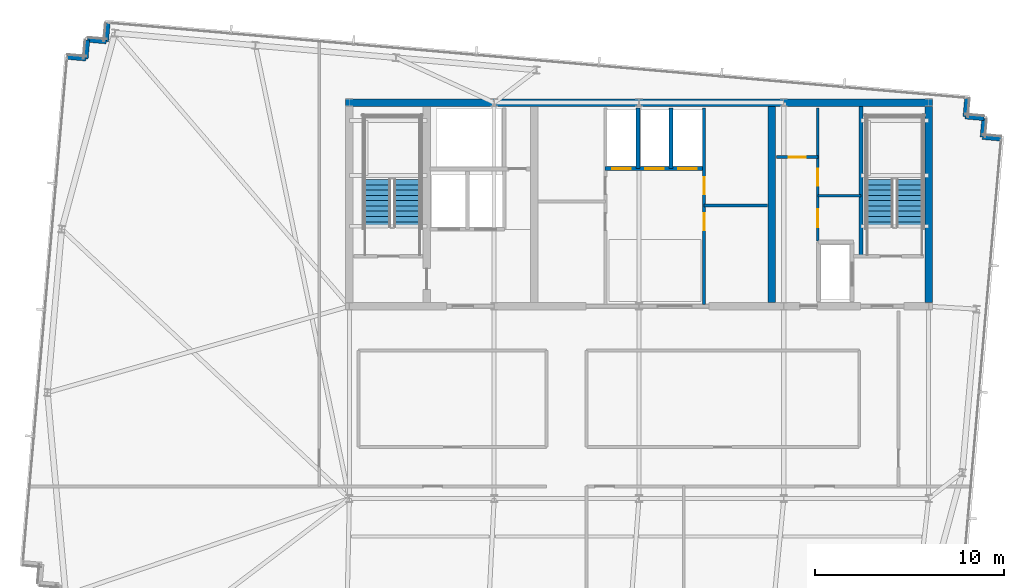
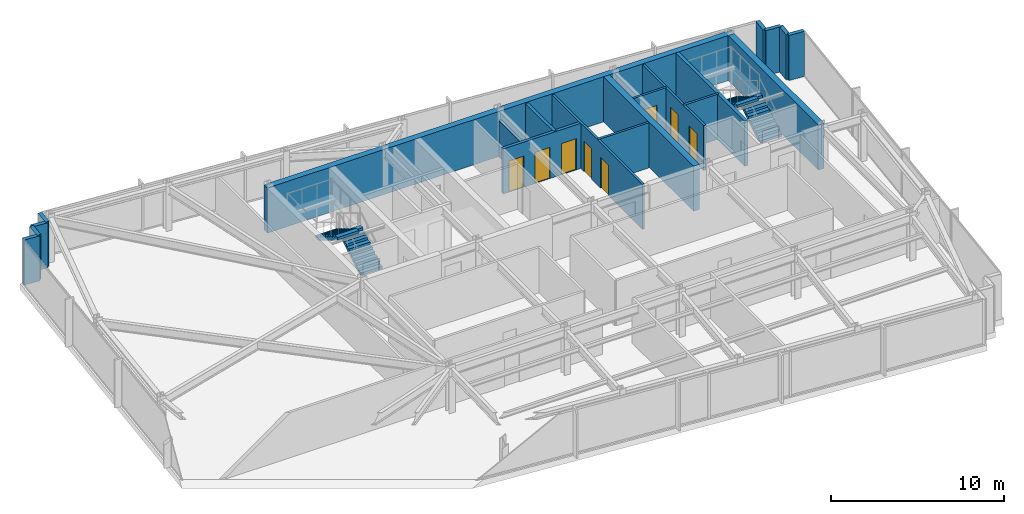
# One storey, part 28 of 32: 20 walls, 8 doors, 4 stair flights, 8 openings, 2 elements without a shape of their own.
"""IFC4 building model written with IfcOpenShell, lengths in metres."""

from ifc_helpers import new_model, si_unit, direction, frame, frame_2d, origin, place, context, subcontext, project, spatial, polyline, rectangle, outline, extrude, material, layer, layer_set, type_object, element, fill, aggregate, save


model = new_model("IFC4")

# Units and contexts
model_context = context("Model", 3, precision=1e-05, world=origin(), true_north=direction((0.0, 1.0)))
body_context = subcontext(model_context, "Body", "Model", "MODEL_VIEW")
ifc_project = project(units=[si_unit("LENGTHUNIT", "METRE"), si_unit("AREAUNIT", "SQUARE_METRE"), si_unit("VOLUMEUNIT", "CUBIC_METRE"), si_unit("PLANEANGLEUNIT", "RADIAN"), si_unit("MASSUNIT", "GRAM", prefix="KILO")], contexts=[model_context])

# Site, building, storey
site_placement = place(None, origin())
site = spatial("IfcSite", under=ifc_project, at=site_placement, CompositionType="ELEMENT")
building_placement = place(site_placement, origin())
building = spatial("IfcBuilding", under=site, at=building_placement, Name="Yelkora Congress Tower", CompositionType="ELEMENT")
storey_placement = place(building_placement, frame((0.0, 0.0, 259.10009765625)))
storey = spatial("IfcBuildingStorey", under=building, at=storey_placement, Name="L72", CompositionType="ELEMENT", Elevation=259.10009765625)

# Walls
ifc_material_1 = material(Name="Concrete C50/60", Category="concrete")
ifc_layer_1 = layer(ifc_material_1, 0.219970703125)
ifc_layer_set_1 = layer_set([ifc_layer_1], Name="Concrete C50/60")
wall_type_1 = type_object("IfcWallType", Name="WALL-CORE-INT-220", PredefinedType="SHEAR", material=ifc_layer_set_1)
wall_1_placement = place(storey_placement, frame((50.179931640625, 38.050048828125, 0.0), z_axis=(0.0, 0.0, 1.0), x_axis=(0.0, 1.0, 0.0)))
element("IfcWall", 1, at=wall_1_placement, inside=storey, type_object=wall_type_1, Name="L72 ST02 West Stair Shear Wall", PredefinedType="SHEAR", context=body_context, shape_type="SweptSolid", body=[
    extrude(rectangle(XDim=7.949951171875, YDim=0.219970703125, at=frame_2d((3.97509765625, 0.0))), origin(), (0.0, 0.0, 1.0), 3.179931640625),
])
ifc_layer_2 = layer(ifc_material_1, 0.39990234375)
ifc_layer_set_2 = layer_set([ifc_layer_2], Name="Concrete C50/60")
wall_type_2 = type_object("IfcWallType", Name="WALL-CORE-INT-400", PredefinedType="SHEAR", material=ifc_layer_set_2)
wall_2_placement = place(storey_placement, frame((22.840087890625, 46.199951171875, 0.0), z_axis=(0.0, 0.0, 1.0), x_axis=(1.0, 0.0, 0.0)))
element("IfcWall", 2, at=wall_2_placement, inside=storey, type_object=wall_type_2, Name="L72 Rear Core North Shear Wall", PredefinedType="SHEAR", context=body_context, shape_type="SweptSolid", body=[
    extrude(rectangle(XDim=31.119873046875, YDim=0.39990234375, at=frame_2d((15.56005859375, 0.0))), origin(), (0.0, 0.0, 1.0), 3.179931640625),
])
for number, where, z_axis, x_axis, name in (
    (3, (45.449951171875, 35.60009765625, 0.0), (0.0, 0.0, 1.0), (0.0, 1.0, 0.0), "L72 Rear Core Cross Shear Wall C3"),
    (4, (53.760009765625, 35.60009765625, 0.0), (0.0, 0.0, 1.0), (0.0, 1.0, 0.0), "L72 Rear Core Cross Shear Wall E"),
):
    element("IfcWall", number, at=place(storey_placement, frame(where, z_axis=z_axis, x_axis=x_axis)), inside=storey, type_object=wall_type_2, Name=name, PredefinedType="SHEAR", context=body_context, shape_type="SweptSolid", body=[
        extrude(rectangle(XDim=10.39990234375, YDim=0.39990234375, at=frame_2d((5.199951171875, 0.0))), origin(), (0.0, 0.0, 1.0), 3.179931640625),
    ])
ifc_material_2 = material(Name="Concrete C40/50", Category="concrete")
ifc_layer_3 = layer(ifc_material_2, 0.239990234375)
ifc_layer_set_3 = layer_set([ifc_layer_3], Name="Concrete C40/50")
wall_type_3 = type_object("IfcWallType", Name="WALL-EXT-LIMESTONE-240", PredefinedType="SOLIDWALL", material=ifc_layer_set_3)
for number, where, z_axis, x_axis, name in (
    (5, (8.0732421875, 48.609619140625, 0.0), (0.0, 0.0, 1.0), (0.996195572005, -0.087145753297, 0.0), "L72 Serrated Corner Limestone Pier 6"),
    (6, (9.069580078125, 48.5224609375, 0.0), (0.0, 0.0, 1.0), (0.087145753297, 0.996195572005, 0.0), "L72 Serrated Corner Limestone Pier 7"),
):
    element("IfcWall", number, at=place(storey_placement, frame(where, z_axis=z_axis, x_axis=x_axis)), inside=storey, type_object=wall_type_3, Name=name, PredefinedType="SOLIDWALL", context=body_context, shape_type="SweptSolid", body=[
        extrude(rectangle(XDim=1.000244140625, YDim=0.239990234375, at=frame_2d((0.5, 0.0))), origin(), (0.0, 0.0, 1.0), 3.179931640625),
    ])
for number, where, z_axis, x_axis, name in (
    (7, (9.15673828125, 49.518798828125, 0.0), (0.0, 0.0, 1.0), (0.996193717496, -0.087166950281, 0.0), "L72 Serrated Corner Limestone Pier 8"),
    (8, (10.15283203125, 49.431640625, 0.0), (0.0, 0.0, 1.0), (0.087166950281, 0.996193717496, 0.0), "L72 Serrated Corner Limestone Pier 9"),
    (9, (55.785888671875, 46.443115234375, 0.0), (0.0, 0.0, 1.0), (-0.086903493655, -0.996216734848, 0.0), "L72 Serrated Corner Limestone Pier 11"),
    (10, (55.698974609375, 45.44677734375, 0.0), (0.0, 0.0, 1.0), (0.996193717496, -0.087166950281, 0.0), "L72 Serrated Corner Limestone Pier 12"),
    (11, (56.695068359375, 45.359619140625, 0.0), (0.0, 0.0, 1.0), (-0.087166950281, -0.996193717496, 0.0), "L72 Serrated Corner Limestone Pier 13"),
    (12, (56.60791015625, 44.363525390625, 0.0), (0.0, 0.0, 1.0), (0.996193717496, -0.087166950281, 0.0), "L72 Serrated Corner Limestone Pier 14"),
):
    element("IfcWall", number, at=place(storey_placement, frame(where, z_axis=z_axis, x_axis=x_axis)), inside=storey, type_object=wall_type_3, Name=name, PredefinedType="SOLIDWALL", context=body_context, shape_type="SweptSolid", body=[
        extrude(rectangle(XDim=1.0, YDim=0.239990234375, at=frame_2d((0.5, 0.0))), origin(), (0.0, 0.0, 1.0), 3.179931640625),
    ])

# Wall, opening, door
ifc_material_3 = material(Name="Acoustic metal-stud gypsum partition", Category="gypsum")
ifc_layer_4 = layer(ifc_material_3, 0.14990234375)
ifc_layer_set_4 = layer_set([ifc_layer_4], Name="Acoustic metal-stud gypsum partition")
wall_type_4 = type_object("IfcWallType", Name="WALL-INT-150-NR", PredefinedType="PARTITIONING", material=ifc_layer_set_4)
wall_3_placement = place(storey_placement, frame((45.679931640625, 43.31005859375, 0.0), z_axis=(0.0, 0.0, 1.0), x_axis=(1.0, 0.0, 0.0)))
wall_3 = element("IfcWall", 13, at=wall_3_placement, inside=storey, type_object=wall_type_4, Name="L72 Partition Wall 20", PredefinedType="PARTITIONING", context=body_context, shape_type="SweptSolid", body=[
    extrude(rectangle(XDim=2.199951171875, YDim=0.14990234375, at=frame_2d((1.10009765625, 0.0))), origin(), (0.0, 0.0, 1.0), 3.179931640625),
])
opening_1_placement = place(wall_3_placement, frame((0.64990234375, 0.0, 0.0)))
opening_1 = element("IfcOpeningElement", 14, at=opening_1_placement, cuts=wall_3, Name="Opening DR-090N", PredefinedType="OPENING", context=body_context, shape_type="SweptSolid", body=[
    extrude(rectangle(XDim=0.89990234375, YDim=2.14990234375, at=frame_2d((0.449951171875, 1.074951171875))), frame((0.0, 0.0849609375, 0.0), z_axis=(0.0, -1.0, 0.0), x_axis=(1.0, 0.0, 0.0)), (0.0, 0.0, 1.0), 0.169921875),
])
ifc_material_4 = material(Name="Moisture-resistant laminate door leaf", Category="wood")
door_type_1 = type_object("IfcDoorType", Name="DOOR-INT-900", OperationType="NOTDEFINED", PredefinedType="DOOR", material=ifc_material_4)
door_1_placement = place(opening_1_placement, origin())
door_1 = element("IfcDoor", 15, at=door_1_placement, inside=storey, type_object=door_type_1, Name="L72 Male WC Door", OperationType="SINGLE_SWING_LEFT", OverallHeight=2.14990234375, OverallWidth=0.89990234375, PredefinedType="DOOR", context=body_context, shape_type="SweptSolid", body=[
    extrude(rectangle(XDim=0.89990234375, YDim=2.14990234375, at=frame_2d((0.449951171875, 1.074951171875))), frame((0.0, 0.02490234375, 0.0), z_axis=(0.0, -1.0, 0.0), x_axis=(1.0, 0.0, 0.0)), (0.0, 0.0, 1.0), 0.050048828125),
])
fill(opening_1, door_1)

# Wall
wall_4_placement = place(storey_placement, frame((47.8798828125, 41.260009765625, 0.0), z_axis=(0.0, 0.0, 1.0), x_axis=(1.0, 0.0, 0.0)))
element("IfcWall", 16, at=wall_4_placement, inside=storey, type_object=wall_type_4, Name="L72 Partition Wall 21", PredefinedType="PARTITIONING", context=body_context, shape_type="SweptSolid", body=[
    extrude(rectangle(XDim=2.300048828125, YDim=0.14990234375, at=frame_2d((1.14990234375, 0.0))), origin(), (0.0, 0.0, 1.0), 3.179931640625),
])

# Wall, openings, doors
wall_5_placement = place(storey_placement, frame((47.8798828125, 38.85009765625, 0.0), z_axis=(0.0, 0.0, 1.0), x_axis=(0.0, 1.0, 0.0)))
wall_5 = element("IfcWall", 17, at=wall_5_placement, inside=storey, type_object=wall_type_4, Name="L72 Partition Wall 22", PredefinedType="PARTITIONING", context=body_context, shape_type="SweptSolid", body=[
    extrude(rectangle(XDim=7.06982421875, YDim=0.14990234375, at=frame_2d((3.534912109375, 0.0))), origin(), (0.0, 0.0, 1.0), 3.179931640625),
])
opening_2_placement = place(wall_5_placement, frame((0.75, 0.0, 0.0)))
opening_2 = element("IfcOpeningElement", 18, at=opening_2_placement, cuts=wall_5, Name="Opening DR-095N", PredefinedType="OPENING", context=body_context, shape_type="SweptSolid", body=[
    extrude(rectangle(XDim=0.949951171875, YDim=2.14990234375, at=frame_2d((0.47509765625, 1.074951171875))), frame((0.0, 0.0849609375, 0.0), z_axis=(0.0, -1.0, 0.0), x_axis=(1.0, 0.0, 0.0)), (0.0, 0.0, 1.0), 0.169921875),
])
opening_3_placement = place(wall_5_placement, frame((2.949951171875, 0.0, 0.0)))
opening_3 = element("IfcOpeningElement", 19, at=opening_3_placement, cuts=wall_5, Name="Opening DR-090N", PredefinedType="OPENING", context=body_context, shape_type="SweptSolid", body=[
    extrude(rectangle(XDim=0.89990234375, YDim=2.14990234375, at=frame_2d((0.449951171875, 1.074951171875))), frame((0.0, 0.0849609375, 0.0), z_axis=(0.0, -1.0, 0.0), x_axis=(1.0, 0.0, 0.0)), (0.0, 0.0, 1.0), 0.169921875),
])
door_2_placement = place(opening_3_placement, origin())
door_2 = element("IfcDoor", 20, at=door_2_placement, inside=storey, type_object=door_type_1, Name="L72 Female WC Door", OperationType="SINGLE_SWING_LEFT", OverallHeight=2.14990234375, OverallWidth=0.89990234375, PredefinedType="DOOR", context=body_context, shape_type="SweptSolid", body=[
    extrude(rectangle(XDim=0.89990234375, YDim=2.14990234375, at=frame_2d((0.449951171875, 1.074951171875))), frame((0.0, 0.02490234375, 0.0), z_axis=(0.0, -1.0, 0.0), x_axis=(1.0, 0.0, 0.0)), (0.0, 0.0, 1.0), 0.050048828125),
])
fill(opening_3, door_2)
ifc_material_5 = material(Name="Acoustic laminated timber office door", Category="wood")
door_type_2 = type_object("IfcDoorType", Name="DOOR-INT-950", OperationType="NOTDEFINED", PredefinedType="DOOR", material=ifc_material_5)
door_3_placement = place(opening_2_placement, origin())
door_3 = element("IfcDoor", 21, at=door_3_placement, inside=storey, type_object=door_type_2, Name="L72 Accessible WC Door", OperationType="SINGLE_SWING_RIGHT", OverallHeight=2.14990234375, OverallWidth=0.949951171875, PredefinedType="DOOR", context=body_context, shape_type="SweptSolid", body=[
    extrude(rectangle(XDim=0.949951171875, YDim=2.14990234375, at=frame_2d((0.47509765625, 1.074951171875))), frame((0.0, 0.02490234375, 0.0), z_axis=(0.0, -1.0, 0.0), x_axis=(1.0, 0.0, 0.0)), (0.0, 0.0, 1.0), 0.050048828125),
])
fill(opening_2, door_3)

# Wall
ifc_material_6 = material(Name="Twin-stud fire-rated gypsum partition", Category="gypsum")
ifc_layer_5 = layer(ifc_material_6, 0.14990234375)
ifc_layer_set_5 = layer_set([ifc_layer_5], Name="Twin-stud fire-rated gypsum partition")
wall_type_5 = type_object("IfcWallType", Name="WALL-INT-150-R60", PredefinedType="PARTITIONING", material=ifc_layer_set_5)
wall_6_placement = place(storey_placement, frame((41.85009765625, 40.75, 0.0), z_axis=(0.0, 0.0, 1.0), x_axis=(1.0, 0.0, 0.0)))
element("IfcWall", 22, at=wall_6_placement, inside=storey, type_object=wall_type_5, Name="L72 Partition Wall 13", PredefinedType="PARTITIONING", context=body_context, shape_type="SweptSolid", body=[
    extrude(rectangle(XDim=3.369873046875, YDim=0.14990234375, at=frame_2d((1.68505859375, 0.0))), origin(), (0.0, 0.0, 1.0), 3.179931640625),
])

# Wall, openings, doors
wall_7_placement = place(storey_placement, frame((41.85009765625, 35.5, 0.0), z_axis=(0.0, 0.0, 1.0), x_axis=(0.0, 1.0, 0.0)))
wall_7 = element("IfcWall", 23, at=wall_7_placement, inside=storey, type_object=wall_type_5, Name="L72 Partition Wall 14", PredefinedType="PARTITIONING", context=body_context, shape_type="SweptSolid", body=[
    extrude(rectangle(XDim=10.419921875, YDim=0.14990234375, at=frame_2d((5.2099609375, 0.0))), origin(), (0.0, 0.0, 1.0), 3.179931640625),
])
opening_4_placement = place(wall_7_placement, frame((3.919921875, 0.0, 0.0)))
opening_4 = element("IfcOpeningElement", 24, at=opening_4_placement, cuts=wall_7, Name="Opening DR-090F6", PredefinedType="OPENING", context=body_context, shape_type="SweptSolid", body=[
    extrude(rectangle(XDim=0.89990234375, YDim=2.14990234375, at=frame_2d((0.449951171875, 1.074951171875))), frame((0.0, 0.0849609375, 0.0), z_axis=(0.0, -1.0, 0.0), x_axis=(1.0, 0.0, 0.0)), (0.0, 0.0, 1.0), 0.169921875),
])
opening_5_placement = place(wall_7_placement, frame((5.85009765625, 0.0, 0.0)))
opening_5 = element("IfcOpeningElement", 25, at=opening_5_placement, cuts=wall_7, Name="Opening DR-090F6", PredefinedType="OPENING", context=body_context, shape_type="SweptSolid", body=[
    extrude(rectangle(XDim=0.89990234375, YDim=2.14990234375, at=frame_2d((0.449951171875, 1.074951171875))), frame((0.0, 0.0849609375, 0.0), z_axis=(0.0, -1.0, 0.0), x_axis=(1.0, 0.0, 0.0)), (0.0, 0.0, 1.0), 0.169921875),
])
ifc_material_7 = material(Name="Painted steel riser fire door leaf", Category="steel")
door_type_3 = type_object("IfcDoorType", Name="DOOR-FD60-900", OperationType="NOTDEFINED", PredefinedType="DOOR", material=ifc_material_7)
door_4_placement = place(opening_4_placement, origin())
door_4 = element("IfcDoor", 26, at=door_4_placement, inside=storey, type_object=door_type_3, Name="L72 High-Zone BMS Door", OperationType="SINGLE_SWING_RIGHT", OverallHeight=2.14990234375, OverallWidth=0.89990234375, PredefinedType="DOOR", context=body_context, shape_type="SweptSolid", body=[
    extrude(rectangle(XDim=0.89990234375, YDim=2.14990234375, at=frame_2d((0.449951171875, 1.074951171875))), frame((0.0, 0.02490234375, 0.0), z_axis=(0.0, -1.0, 0.0), x_axis=(1.0, 0.0, 0.0)), (0.0, 0.0, 1.0), 0.050048828125),
])
fill(opening_4, door_4)
door_5_placement = place(opening_5_placement, origin())
door_5 = element("IfcDoor", 27, at=door_5_placement, inside=storey, type_object=door_type_3, Name="L72 Linen Store Door", OperationType="SINGLE_SWING_LEFT", OverallHeight=2.14990234375, OverallWidth=0.89990234375, PredefinedType="DOOR", context=body_context, shape_type="SweptSolid", body=[
    extrude(rectangle(XDim=0.89990234375, YDim=2.14990234375, at=frame_2d((0.449951171875, 1.074951171875))), frame((0.0, 0.02490234375, 0.0), z_axis=(0.0, -1.0, 0.0), x_axis=(1.0, 0.0, 0.0)), (0.0, 0.0, 1.0), 0.050048828125),
])
fill(opening_5, door_5)

ifc_material_8 = material(Name="Autoclaved aerated concrete blockwork", Category="masonry")
ifc_layer_6 = layer(ifc_material_8, 0.199951171875)
ifc_layer_set_6 = layer_set([ifc_layer_6], Name="Autoclaved aerated concrete blockwork")
wall_type_6 = type_object("IfcWallType", Name="WALL-INT-200-R120", PredefinedType="PARTITIONING", material=ifc_layer_set_6)
wall_8_placement = place(storey_placement, frame((36.60009765625, 42.699951171875, 0.0), z_axis=(0.0, 0.0, 1.0), x_axis=(1.0, 0.0, 0.0)))
wall_8 = element("IfcWall", 28, at=wall_8_placement, inside=storey, type_object=wall_type_6, Name="L72 Partition Wall 8", PredefinedType="PARTITIONING", context=body_context, shape_type="SweptSolid", body=[
    extrude(rectangle(XDim=5.25, YDim=0.199951171875, at=frame_2d((2.625, 0.0))), origin(), (0.0, 0.0, 1.0), 3.179931640625),
])
opening_6_placement = place(wall_8_placement, frame((0.375, 0.0, 0.0)))
opening_6 = element("IfcOpeningElement", 29, at=opening_6_placement, cuts=wall_8, Name="Opening LD-PS10", PredefinedType="OPENING", context=body_context, shape_type="SweptSolid", body=[
    extrude(rectangle(XDim=1.0, YDim=2.199951171875, at=frame_2d((0.5, 1.10009765625))), frame((0.0, 0.10986328125, 0.0), z_axis=(0.0, -1.0, 0.0), x_axis=(1.0, 0.0, 0.0)), (0.0, 0.0, 1.0), 0.219970703125),
])
opening_7_placement = place(wall_8_placement, frame((2.125, 0.0, 0.0)))
opening_7 = element("IfcOpeningElement", 30, at=opening_7_placement, cuts=wall_8, Name="Opening LD-PS10", PredefinedType="OPENING", context=body_context, shape_type="SweptSolid", body=[
    extrude(rectangle(XDim=1.0, YDim=2.199951171875, at=frame_2d((0.5, 1.10009765625))), frame((0.0, 0.10986328125, 0.0), z_axis=(0.0, -1.0, 0.0), x_axis=(1.0, 0.0, 0.0)), (0.0, 0.0, 1.0), 0.219970703125),
])
opening_8_placement = place(wall_8_placement, frame((3.875, 0.0, 0.0)))
opening_8 = element("IfcOpeningElement", 31, at=opening_8_placement, cuts=wall_8, Name="Opening LD-PS10", PredefinedType="OPENING", context=body_context, shape_type="SweptSolid", body=[
    extrude(rectangle(XDim=1.0, YDim=2.199951171875, at=frame_2d((0.5, 1.10009765625))), frame((0.0, 0.10986328125, 0.0), z_axis=(0.0, -1.0, 0.0), x_axis=(1.0, 0.0, 0.0)), (0.0, 0.0, 1.0), 0.219970703125),
])
ifc_material_9 = material(Name="Champagne stainless steel landing door", Category="steel")
door_type_4 = type_object("IfcDoorType", Name="DOOR-LIFT-PAS-1000", OperationType="DOUBLE_DOOR_SLIDING", PredefinedType="DOOR", material=ifc_material_9)
door_6_placement = place(opening_6_placement, origin())
door_6 = element("IfcDoor", 32, at=door_6_placement, inside=storey, type_object=door_type_4, Name="Lift Landing Door LF-P9 L72", OperationType="DOUBLE_DOOR_SLIDING", OverallHeight=2.199951171875, OverallWidth=1.0, PredefinedType="DOOR", context=body_context, shape_type="SweptSolid", body=[
    extrude(rectangle(XDim=1.0, YDim=2.199951171875, at=frame_2d((0.5, 1.10009765625))), frame((0.0, 0.02490234375, 0.0), z_axis=(0.0, -1.0, 0.0), x_axis=(1.0, 0.0, 0.0)), (0.0, 0.0, 1.0), 0.050048828125),
])
fill(opening_6, door_6)
door_7_placement = place(opening_7_placement, origin())
door_7 = element("IfcDoor", 33, at=door_7_placement, inside=storey, type_object=door_type_4, Name="Lift Landing Door LF-P10 L72", OperationType="DOUBLE_DOOR_SLIDING", OverallHeight=2.199951171875, OverallWidth=1.0, PredefinedType="DOOR", context=body_context, shape_type="SweptSolid", body=[
    extrude(rectangle(XDim=1.0, YDim=2.199951171875, at=frame_2d((0.5, 1.10009765625))), frame((0.0, 0.02490234375, 0.0), z_axis=(0.0, -1.0, 0.0), x_axis=(1.0, 0.0, 0.0)), (0.0, 0.0, 1.0), 0.050048828125),
])
fill(opening_7, door_7)
door_8_placement = place(opening_8_placement, origin())
door_8 = element("IfcDoor", 34, at=door_8_placement, inside=storey, type_object=door_type_4, Name="Lift Landing Door LF-P11 L72", OperationType="DOUBLE_DOOR_SLIDING", OverallHeight=2.199951171875, OverallWidth=1.0, PredefinedType="DOOR", context=body_context, shape_type="SweptSolid", body=[
    extrude(rectangle(XDim=1.0, YDim=2.199951171875, at=frame_2d((0.5, 1.10009765625))), frame((0.0, 0.02490234375, 0.0), z_axis=(0.0, -1.0, 0.0), x_axis=(1.0, 0.0, 0.0)), (0.0, 0.0, 1.0), 0.050048828125),
])
fill(opening_8, door_8)

# Walls
wall_9_placement = place(storey_placement, frame((38.35009765625, 42.699951171875, 0.0), z_axis=(0.0, 0.0, 1.0), x_axis=(0.0, 1.0, 0.0)))
element("IfcWall", 35, at=wall_9_placement, inside=storey, type_object=wall_type_6, Name="L72 Partition Wall 9", PredefinedType="PARTITIONING", context=body_context, shape_type="SweptSolid", body=[
    extrude(rectangle(XDim=3.219970703125, YDim=0.199951171875, at=frame_2d((1.60986328125, 0.0))), origin(), (0.0, 0.0, 1.0), 2.574951171875),
])
wall_10_placement = place(storey_placement, frame((40.10009765625, 42.699951171875, 0.0), z_axis=(0.0, 0.0, 1.0), x_axis=(0.0, 1.0, 0.0)))
element("IfcWall", 36, at=wall_10_placement, inside=storey, type_object=wall_type_6, Name="L72 Partition Wall 10", PredefinedType="PARTITIONING", context=body_context, shape_type="SweptSolid", body=[
    extrude(rectangle(XDim=3.219970703125, YDim=0.199951171875, at=frame_2d((1.60986328125, 0.0))), origin(), (0.0, 0.0, 1.0), 3.179931640625),
])

# Stair, stair flights
stair_type = type_object("IfcStairType", Name="STAIR-HT-1420-R20-170", PredefinedType="HALF_TURN_STAIR", material=ifc_material_2)
stair_1_placement = place(storey_placement, origin())
stair_1 = element("IfcStair", 37, at=stair_1_placement, inside=storey, type_object=stair_type, Name="West Core Protected Exit Stair ST-01 (L72)", PredefinedType="HALF_TURN_STAIR")
stair_flight_type = type_object("IfcStairFlightType", Name="FLIGHT-1420-N10-R170-G280", PredefinedType="STRAIGHT", material=ifc_material_2)
stair_flight_1_placement = place(storey_placement, frame((26.110107421875, 39.60009765625, 0.0), z_axis=(0.0, 0.0, 1.0), x_axis=(0.0, 1.0, 0.0)))
stair_flight_1 = element("IfcStairFlight", 38, at=stair_flight_1_placement, type_object=stair_flight_type, Name="ST-01 L72 Flight 1", NumberOfRisers=10, NumberOfTreads=9, PredefinedType="STRAIGHT", RiserHeight=0.17, TreadLength=0.28, context=body_context, shape_type="SweptSolid", body=[
    extrude(outline(polyline([(0.0, 0.0), (0.0, 0.169921875), (0.280029296875, 0.169921875), (0.280029296875, 0.340087890625), (0.56005859375, 0.340087890625), (0.56005859375, 0.510009765625), (0.840087890625, 0.510009765625), (0.840087890625, 0.679931640625), (1.1201171875, 0.679931640625), (1.1201171875, 0.85009765625), (1.39990234375, 0.85009765625), (1.39990234375, 1.02001953125), (1.679931640625, 1.02001953125), (1.679931640625, 1.18994140625), (1.9599609375, 1.18994140625), (1.9599609375, 1.360107421875), (2.239990234375, 1.360107421875), (2.239990234375, 1.530029296875), (2.52001953125, 1.530029296875), (2.52001953125, 1.699951171875), (2.52001953125, 1.343017578125), (0.30810546875, 0.0), (0.0, 0.0)])), frame((0.0, 0.7099609375, 0.0), z_axis=(0.0, -1.0, 0.0), x_axis=(1.0, 0.0, 0.0)), (0.0, 0.0, 1.0), 1.419921875),
])
stair_flight_2_placement = place(storey_placement, frame((24.530029296875, 42.1201171875, 1.699951171875), z_axis=(0.0, 0.0, 1.0), x_axis=(0.0, -1.0, 0.0)))
stair_flight_2 = element("IfcStairFlight", 39, at=stair_flight_2_placement, type_object=stair_flight_type, Name="ST-01 L72 Flight 2", NumberOfRisers=10, NumberOfTreads=9, PredefinedType="STRAIGHT", RiserHeight=0.17, TreadLength=0.28, context=body_context, shape_type="SweptSolid", body=[
    extrude(outline(polyline([(0.0, 0.0), (0.0, 0.169921875), (0.280029296875, 0.169921875), (0.280029296875, 0.340087890625), (0.56005859375, 0.340087890625), (0.56005859375, 0.510009765625), (0.840087890625, 0.510009765625), (0.840087890625, 0.679931640625), (1.1201171875, 0.679931640625), (1.1201171875, 0.85009765625), (1.39990234375, 0.85009765625), (1.39990234375, 1.02001953125), (1.679931640625, 1.02001953125), (1.679931640625, 1.18994140625), (1.9599609375, 1.18994140625), (1.9599609375, 1.360107421875), (2.239990234375, 1.360107421875), (2.239990234375, 1.530029296875), (2.52001953125, 1.530029296875), (2.52001953125, 1.699951171875), (2.52001953125, 1.343017578125), (0.30810546875, 0.0), (0.0, 0.0)])), frame((0.0, 0.7099609375, 0.0), z_axis=(0.0, -1.0, 0.0), x_axis=(1.0, 0.0, 0.0)), (0.0, 0.0, 1.0), 1.419921875),
])
aggregate(stair_1, [stair_flight_1, stair_flight_2])

stair_2_placement = place(storey_placement, origin())
stair_2 = element("IfcStair", 40, at=stair_2_placement, inside=storey, type_object=stair_type, Name="East Core Protected Exit Stair ST-02 (L72)", PredefinedType="HALF_TURN_STAIR")
stair_flight_3_placement = place(storey_placement, frame((52.75, 39.60009765625, 0.0), z_axis=(0.0, 0.0, 1.0), x_axis=(0.0, 1.0, 0.0)))
stair_flight_3 = element("IfcStairFlight", 41, at=stair_flight_3_placement, type_object=stair_flight_type, Name="ST-02 L72 Flight 1", NumberOfRisers=10, NumberOfTreads=9, PredefinedType="STRAIGHT", RiserHeight=0.17, TreadLength=0.28, context=body_context, shape_type="SweptSolid", body=[
    extrude(outline(polyline([(0.0, 0.0), (0.0, 0.169921875), (0.280029296875, 0.169921875), (0.280029296875, 0.340087890625), (0.56005859375, 0.340087890625), (0.56005859375, 0.510009765625), (0.840087890625, 0.510009765625), (0.840087890625, 0.679931640625), (1.1201171875, 0.679931640625), (1.1201171875, 0.85009765625), (1.39990234375, 0.85009765625), (1.39990234375, 1.02001953125), (1.679931640625, 1.02001953125), (1.679931640625, 1.18994140625), (1.9599609375, 1.18994140625), (1.9599609375, 1.360107421875), (2.239990234375, 1.360107421875), (2.239990234375, 1.530029296875), (2.52001953125, 1.530029296875), (2.52001953125, 1.699951171875), (2.52001953125, 1.343017578125), (0.30810546875, 0.0), (0.0, 0.0)])), frame((0.0, 0.7099609375, 0.0), z_axis=(0.0, -1.0, 0.0), x_axis=(1.0, 0.0, 0.0)), (0.0, 0.0, 1.0), 1.419921875),
])
stair_flight_4_placement = place(storey_placement, frame((51.169921875, 42.1201171875, 1.699951171875), z_axis=(0.0, 0.0, 1.0), x_axis=(0.0, -1.0, 0.0)))
stair_flight_4 = element("IfcStairFlight", 42, at=stair_flight_4_placement, type_object=stair_flight_type, Name="ST-02 L72 Flight 2", NumberOfRisers=10, NumberOfTreads=9, PredefinedType="STRAIGHT", RiserHeight=0.17, TreadLength=0.28, context=body_context, shape_type="SweptSolid", body=[
    extrude(outline(polyline([(0.0, 0.0), (0.0, 0.169921875), (0.280029296875, 0.169921875), (0.280029296875, 0.340087890625), (0.56005859375, 0.340087890625), (0.56005859375, 0.510009765625), (0.840087890625, 0.510009765625), (0.840087890625, 0.679931640625), (1.1201171875, 0.679931640625), (1.1201171875, 0.85009765625), (1.39990234375, 0.85009765625), (1.39990234375, 1.02001953125), (1.679931640625, 1.02001953125), (1.679931640625, 1.18994140625), (1.9599609375, 1.18994140625), (1.9599609375, 1.360107421875), (2.239990234375, 1.360107421875), (2.239990234375, 1.530029296875), (2.52001953125, 1.530029296875), (2.52001953125, 1.699951171875), (2.52001953125, 1.343017578125), (0.30810546875, 0.0), (0.0, 0.0)])), frame((0.0, 0.7099609375, 0.0), z_axis=(0.0, -1.0, 0.0), x_axis=(1.0, 0.0, 0.0)), (0.0, 0.0, 1.0), 1.419921875),
])
aggregate(stair_2, [stair_flight_3, stair_flight_4])

save(model, "model.ifc")
